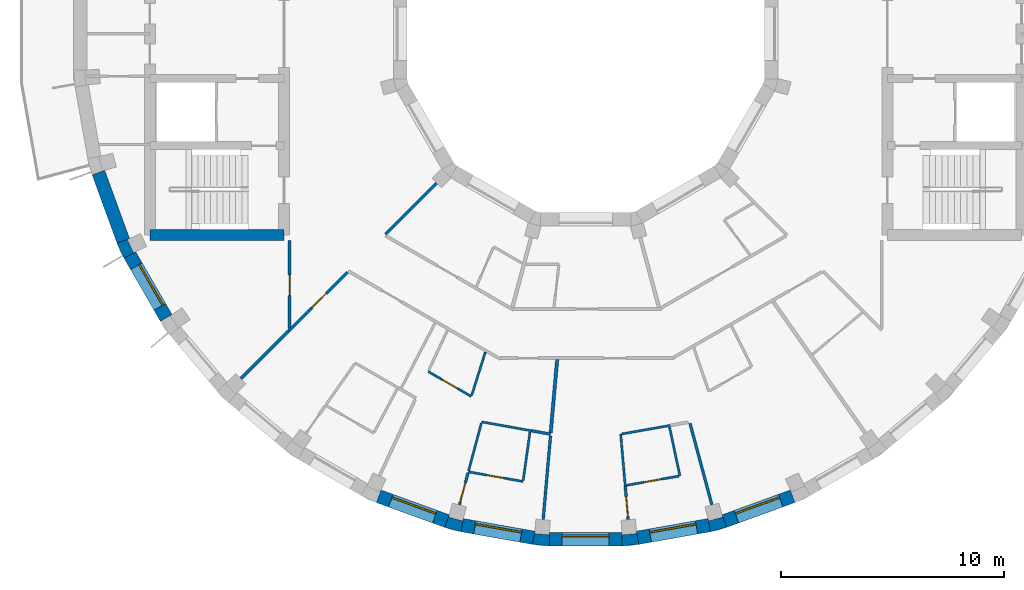
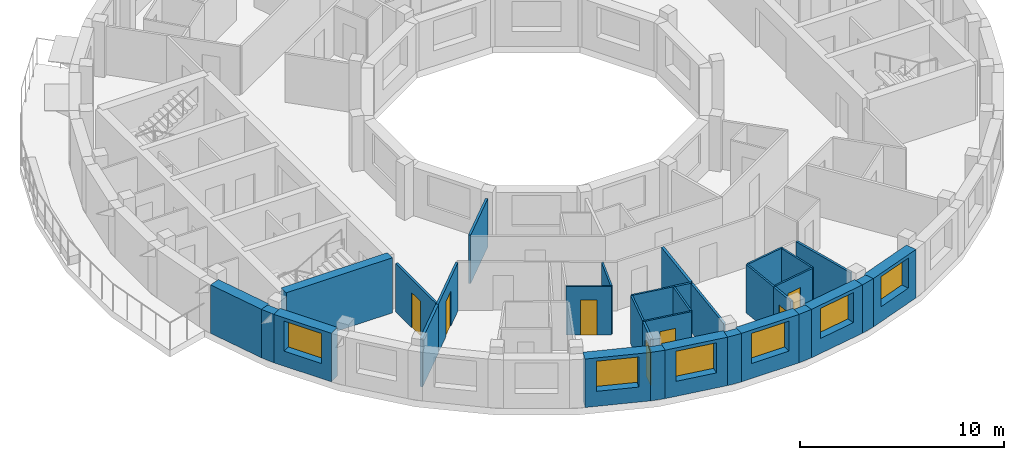
# One storey, part 2 of 10: 33 walls, 7 doors, 6 windows, 13 openings.
"""IFC4 building model written with IfcOpenShell, lengths in metres."""

from ifc_helpers import new_model, si_unit, direction, frame, frame_2d, origin, place, context, subcontext, project, spatial, polyline, rectangle, outline, extrude, material, layer, layer_set, type_object, element, fill, save


model = new_model("IFC4")

# Units and contexts
model_context = context("Model", 3, precision=1e-05, world=origin(), true_north=direction((0.0, 1.0)))
body_context = subcontext(model_context, "Body", "Model", "MODEL_VIEW")
ifc_project = project(units=[si_unit("LENGTHUNIT", "METRE"), si_unit("AREAUNIT", "SQUARE_METRE"), si_unit("VOLUMEUNIT", "CUBIC_METRE"), si_unit("PLANEANGLEUNIT", "RADIAN"), si_unit("MASSUNIT", "GRAM", prefix="KILO")], contexts=[model_context])

# Site, building, storey
site_placement = place(None, origin())
site = spatial("IfcSite", under=ifc_project, at=site_placement, CompositionType="ELEMENT")
building_placement = place(site_placement, origin())
building = spatial("IfcBuilding", under=site, at=building_placement, Name="Saqina Gate Tower", CompositionType="ELEMENT")
storey_placement = place(building_placement, frame((0.0, 0.0, 246.199951171875)))
storey = spatial("IfcBuildingStorey", under=building, at=storey_placement, Name="L70", CompositionType="ELEMENT", Elevation=246.199951171875)

# Walls
ifc_material_1 = material(Name="Brick masonry (buff)", Category="masonry")
wall_type_1 = type_object("IfcWallType", Name="BRICK PIER COPING BUFF", PredefinedType="SOLIDWALL", material=ifc_material_1)
wall_1_placement = place(storey_placement, origin())
element("IfcWall", 1, at=wall_1_placement, inside=storey, type_object=wall_type_1, Name="Pier cap L70 column 21", PredefinedType="SOLIDWALL", context=body_context, shape_type="SweptSolid", body=[
    extrude(outline(polyline([(-20.974609375, -9.3642578125), (-20.65576171875, -10.048095703125), (-20.135986328125, -9.748291015625), (-20.23193359375, -9.79296875), (-20.506591796875, -9.203857421875), (-20.410888671875, -9.1591796875), (-20.974609375, -9.3642578125)])), origin(), (0.0, 0.0, 1.0), 2.900146484375),
])
wall_2_placement = place(storey_placement, origin())
element("IfcWall", 2, at=wall_2_placement, inside=storey, type_object=wall_type_1, Name="Pier cap L70 column 26", PredefinedType="SOLIDWALL", context=body_context, shape_type="SweptSolid", body=[
    extrude(outline(polyline([(-5.579833984375, -22.281982421875), (-5.4755859375, -21.691162109375), (-5.5029296875, -21.793212890625), (-6.130859375, -21.625), (-6.103515625, -21.52294921875), (-6.30859375, -22.0869140625), (-5.579833984375, -22.281982421875)])), origin(), (0.0, 0.0, 1.0), 2.900146484375),
])
wall_3_placement = place(storey_placement, origin())
element("IfcWall", 3, at=wall_3_placement, inside=storey, type_object=wall_type_1, Name="Pier cap L70 column 27", PredefinedType="SOLIDWALL", context=body_context, shape_type="SweptSolid", body=[
    extrude(outline(polyline([(-2.377685546875, -22.8466796875), (-1.625732421875, -22.91259765625), (-1.625732421875, -22.3125), (-1.635009765625, -22.417724609375), (-2.28271484375, -22.361083984375), (-2.2734375, -22.255859375), (-2.377685546875, -22.8466796875)])), origin(), (0.0, 0.0, 1.0), 2.900146484375),
])
wall_4_placement = place(storey_placement, origin())
element("IfcWall", 4, at=wall_4_placement, inside=storey, type_object=wall_type_1, Name="Pier cap L70 column 28", PredefinedType="SOLIDWALL", context=body_context, shape_type="SweptSolid", body=[
    extrude(outline(polyline([(1.625732421875, -22.91259765625), (2.377685546875, -22.8466796875), (2.2734375, -22.255859375), (2.28271484375, -22.361083984375), (1.635009765625, -22.417724609375), (1.625732421875, -22.3125), (1.625732421875, -22.91259765625)])), origin(), (0.0, 0.0, 1.0), 2.900146484375),
])
wall_5_placement = place(storey_placement, origin())
element("IfcWall", 5, at=wall_5_placement, inside=storey, type_object=wall_type_1, Name="Pier cap L70 column 29", PredefinedType="SOLIDWALL", context=body_context, shape_type="SweptSolid", body=[
    extrude(outline(polyline([(6.30859375, -22.0869140625), (6.103515625, -21.52294921875), (6.130859375, -21.625), (5.5029296875, -21.793212890625), (5.4755859375, -21.691162109375), (5.579833984375, -22.281982421875), (6.30859375, -22.0869140625)])), origin(), (0.0, 0.0, 1.0), 2.900146484375),
])

# Wall, opening, window
ifc_material_2 = material(Name="Brick masonry (buff)", Category="masonry")
ifc_layer_1 = layer(ifc_material_2, 0.60009765625)
ifc_layer_set_1 = layer_set([ifc_layer_1], Name="FW-BRICK-BUFF")
wall_type_2 = type_object("IfcWallType", Name="FW-BRICK-BUFF", PredefinedType="SOLIDWALL", material=ifc_layer_set_1)
wall_6_placement = place(storey_placement, frame((-20.39599609375, -9.898193359375, 0.0), z_axis=(0.0, 0.0, 1.0), x_axis=(0.500014901547, -0.866016800201, 0.0)))
wall_6 = element("IfcWall", 6, at=wall_6_placement, inside=storey, type_object=wall_type_2, Name="Facade wall L70 facet 21", PredefinedType="SOLIDWALL", context=body_context, shape_type="SweptSolid", body=[
    extrude(rectangle(XDim=3.251953125, YDim=0.60009765625, at=frame_2d((1.6259765625, 0.0))), origin(), (0.0, 0.0, 1.0), 2.900146484375),
])
opening_1_placement = place(wall_6_placement, frame((0.57568359375, 0.0, 0.89990234375)))
opening_1 = element("IfcOpeningElement", 7, at=opening_1_placement, cuts=wall_6, Name="Opening G20-W12", PredefinedType="OPENING", context=body_context, shape_type="SweptSolid", body=[
    extrude(rectangle(XDim=2.10009765625, YDim=1.800048828125, at=frame_2d((1.050048828125, 0.89990234375))), frame((0.0, 0.31201171875, 0.0), z_axis=(0.0, -1.0, 0.0), x_axis=(1.0, 0.0, 0.0)), (0.0, 0.0, 1.0), 0.6240234375),
])
ifc_material_3 = material(Name="Aluminium glazing", Category="aluminium")
window_type = type_object("IfcWindowType", Name="WN-D", PartitioningType="SINGLE_PANEL", PredefinedType="WINDOW", material=ifc_material_3)
window_1_placement = place(opening_1_placement, origin())
window_1 = element("IfcWindow", 8, at=window_1_placement, inside=storey, type_object=window_type, Name="Window L70 facet 21", OverallHeight=1.800048828125, OverallWidth=2.10009765625, PartitioningType="SINGLE_PANEL", PredefinedType="WINDOW", context=body_context, shape_type="SweptSolid", body=[
    extrude(rectangle(XDim=2.10009765625, YDim=1.800048828125, at=frame_2d((1.050048828125, 0.89990234375))), frame((0.0, 0.179931640625, 0.0), z_axis=(0.0, -1.0, 0.0), x_axis=(1.0, 0.0, 0.0)), (0.0, 0.0, 1.0), 0.06005859375),
])
fill(opening_1, window_1)

wall_7_placement = place(storey_placement, frame((-9.26171875, -20.692626953125, 0.0), z_axis=(0.0, 0.0, 1.0), x_axis=(0.939679383794, -0.342056509473, 0.0)))
wall_7 = element("IfcWall", 9, at=wall_7_placement, inside=storey, type_object=wall_type_2, Name="Facade wall L70 facet 25", PredefinedType="SOLIDWALL", context=body_context, shape_type="SweptSolid", body=[
    extrude(rectangle(XDim=3.251708984375, YDim=0.60009765625, at=frame_2d((1.6259765625, 0.0))), origin(), (0.0, 0.0, 1.0), 2.900146484375),
])
opening_2_placement = place(wall_7_placement, frame((0.57568359375, 0.0, 0.89990234375)))
opening_2 = element("IfcOpeningElement", 10, at=opening_2_placement, cuts=wall_7, Name="Opening G20-W16", PredefinedType="OPENING", context=body_context, shape_type="SweptSolid", body=[
    extrude(rectangle(XDim=2.10009765625, YDim=1.800048828125, at=frame_2d((1.050048828125, 0.89990234375))), frame((0.0, 0.31201171875, 0.0), z_axis=(0.0, -1.0, 0.0), x_axis=(1.0, 0.0, 0.0)), (0.0, 0.0, 1.0), 0.6240234375),
])
window_2_placement = place(opening_2_placement, origin())
window_2 = element("IfcWindow", 11, at=window_2_placement, inside=storey, type_object=window_type, Name="Window L70 facet 25", OverallHeight=1.800048828125, OverallWidth=2.10009765625, PartitioningType="SINGLE_PANEL", PredefinedType="WINDOW", context=body_context, shape_type="SweptSolid", body=[
    extrude(rectangle(XDim=2.10009765625, YDim=1.800048828125, at=frame_2d((1.050048828125, 0.89990234375))), frame((0.0, 0.179931640625, 0.0), z_axis=(0.0, -1.0, 0.0), x_axis=(1.0, 0.0, 0.0)), (0.0, 0.0, 1.0), 0.06005859375),
])
fill(opening_2, window_2)

wall_8_placement = place(storey_placement, frame((-5.52783203125, -21.986572265625, 0.0), z_axis=(0.0, 0.0, 1.0), x_axis=(0.984806225186, -0.173656842178, 0.0)))
wall_8 = element("IfcWall", 12, at=wall_8_placement, inside=storey, type_object=wall_type_2, Name="Facade wall L70 facet 26", PredefinedType="SOLIDWALL", context=body_context, shape_type="SweptSolid", body=[
    extrude(rectangle(XDim=3.251708984375, YDim=0.60009765625, at=frame_2d((1.6259765625, 0.0))), origin(), (0.0, 0.0, 1.0), 2.900146484375),
])
opening_3_placement = place(wall_8_placement, frame((0.57568359375, 0.0, 0.89990234375)))
opening_3 = element("IfcOpeningElement", 13, at=opening_3_placement, cuts=wall_8, Name="Opening G20-W17", PredefinedType="OPENING", context=body_context, shape_type="SweptSolid", body=[
    extrude(rectangle(XDim=2.10009765625, YDim=1.800048828125, at=frame_2d((1.050048828125, 0.89990234375))), frame((0.0, 0.31201171875, 0.0), z_axis=(0.0, -1.0, 0.0), x_axis=(1.0, 0.0, 0.0)), (0.0, 0.0, 1.0), 0.6240234375),
])
window_3_placement = place(opening_3_placement, origin())
window_3 = element("IfcWindow", 14, at=window_3_placement, inside=storey, type_object=window_type, Name="Window L70 facet 26", OverallHeight=1.800048828125, OverallWidth=2.10009765625, PartitioningType="SINGLE_PANEL", PredefinedType="WINDOW", context=body_context, shape_type="SweptSolid", body=[
    extrude(rectangle(XDim=2.10009765625, YDim=1.800048828125, at=frame_2d((1.050048828125, 0.89990234375))), frame((0.0, 0.179931640625, 0.0), z_axis=(0.0, -1.0, 0.0), x_axis=(1.0, 0.0, 0.0)), (0.0, 0.0, 1.0), 0.06005859375),
])
fill(opening_3, window_3)

wall_9_placement = place(storey_placement, frame((-1.625732421875, -22.612548828125, 0.0), z_axis=(0.0, 0.0, 1.0), x_axis=(1.0, 0.0, 0.0)))
wall_9 = element("IfcWall", 15, at=wall_9_placement, inside=storey, type_object=wall_type_2, Name="Facade wall L70 facet 27", PredefinedType="SOLIDWALL", context=body_context, shape_type="SweptSolid", body=[
    extrude(rectangle(XDim=3.25146484375, YDim=0.60009765625, at=frame_2d((1.625732421875, 0.0))), origin(), (0.0, 0.0, 1.0), 2.900146484375),
])
opening_4_placement = place(wall_9_placement, frame((0.57568359375, 0.0, 0.89990234375)))
opening_4 = element("IfcOpeningElement", 16, at=opening_4_placement, cuts=wall_9, Name="Opening G20-W18", PredefinedType="OPENING", context=body_context, shape_type="SweptSolid", body=[
    extrude(rectangle(XDim=2.10009765625, YDim=1.800048828125, at=frame_2d((1.050048828125, 0.89990234375))), frame((0.0, 0.31201171875, 0.0), z_axis=(0.0, -1.0, 0.0), x_axis=(1.0, 0.0, 0.0)), (0.0, 0.0, 1.0), 0.6240234375),
])
window_4_placement = place(opening_4_placement, origin())
window_4 = element("IfcWindow", 17, at=window_4_placement, inside=storey, type_object=window_type, Name="Window L70 facet 27", OverallHeight=1.800048828125, OverallWidth=2.10009765625, PartitioningType="SINGLE_PANEL", PredefinedType="WINDOW", context=body_context, shape_type="SweptSolid", body=[
    extrude(rectangle(XDim=2.10009765625, YDim=1.800048828125, at=frame_2d((1.050048828125, 0.89990234375))), frame((0.0, 0.179931640625, 0.0), z_axis=(0.0, -1.0, 0.0), x_axis=(1.0, 0.0, 0.0)), (0.0, 0.0, 1.0), 0.06005859375),
])
fill(opening_4, window_4)

wall_10_placement = place(storey_placement, frame((2.325439453125, -22.55126953125, 0.0), z_axis=(0.0, 0.0, 1.0), x_axis=(0.984806225186, 0.173656842178, 0.0)))
wall_10 = element("IfcWall", 18, at=wall_10_placement, inside=storey, type_object=wall_type_2, Name="Facade wall L70 facet 28", PredefinedType="SOLIDWALL", context=body_context, shape_type="SweptSolid", body=[
    extrude(rectangle(XDim=3.251708984375, YDim=0.60009765625, at=frame_2d((1.6259765625, 0.0))), origin(), (0.0, 0.0, 1.0), 2.900146484375),
])
opening_5_placement = place(wall_10_placement, frame((0.57568359375, 0.0, 0.89990234375)))
opening_5 = element("IfcOpeningElement", 19, at=opening_5_placement, cuts=wall_10, Name="Opening G20-W19", PredefinedType="OPENING", context=body_context, shape_type="SweptSolid", body=[
    extrude(rectangle(XDim=2.10009765625, YDim=1.800048828125, at=frame_2d((1.050048828125, 0.89990234375))), frame((0.0, 0.31201171875, 0.0), z_axis=(0.0, -1.0, 0.0), x_axis=(1.0, 0.0, 0.0)), (0.0, 0.0, 1.0), 0.6240234375),
])
window_5_placement = place(opening_5_placement, origin())
window_5 = element("IfcWindow", 20, at=window_5_placement, inside=storey, type_object=window_type, Name="Window L70 facet 28", OverallHeight=1.800048828125, OverallWidth=2.10009765625, PartitioningType="SINGLE_PANEL", PredefinedType="WINDOW", context=body_context, shape_type="SweptSolid", body=[
    extrude(rectangle(XDim=2.10009765625, YDim=1.800048828125, at=frame_2d((1.050048828125, 0.89990234375))), frame((0.0, 0.179931640625, 0.0), z_axis=(0.0, -1.0, 0.0), x_axis=(1.0, 0.0, 0.0)), (0.0, 0.0, 1.0), 0.06005859375),
])
fill(opening_5, window_5)

wall_11_placement = place(storey_placement, frame((6.2060546875, -21.804931640625, 0.0), z_axis=(0.0, 0.0, 1.0), x_axis=(0.939679383794, 0.342056509473, 0.0)))
wall_11 = element("IfcWall", 21, at=wall_11_placement, inside=storey, type_object=wall_type_2, Name="Facade wall L70 facet 29", PredefinedType="SOLIDWALL", context=body_context, shape_type="SweptSolid", body=[
    extrude(rectangle(XDim=3.251708984375, YDim=0.60009765625, at=frame_2d((1.6259765625, 0.0))), origin(), (0.0, 0.0, 1.0), 2.900146484375),
])
opening_6_placement = place(wall_11_placement, frame((0.57568359375, 0.0, 0.89990234375)))
opening_6 = element("IfcOpeningElement", 22, at=opening_6_placement, cuts=wall_11, Name="Opening G20-W20", PredefinedType="OPENING", context=body_context, shape_type="SweptSolid", body=[
    extrude(rectangle(XDim=2.10009765625, YDim=1.800048828125, at=frame_2d((1.050048828125, 0.89990234375))), frame((0.0, 0.31201171875, 0.0), z_axis=(0.0, -1.0, 0.0), x_axis=(1.0, 0.0, 0.0)), (0.0, 0.0, 1.0), 0.6240234375),
])
window_6_placement = place(opening_6_placement, origin())
window_6 = element("IfcWindow", 23, at=window_6_placement, inside=storey, type_object=window_type, Name="Window L70 facet 29", OverallHeight=1.800048828125, OverallWidth=2.10009765625, PartitioningType="SINGLE_PANEL", PredefinedType="WINDOW", context=body_context, shape_type="SweptSolid", body=[
    extrude(rectangle(XDim=2.10009765625, YDim=1.800048828125, at=frame_2d((1.050048828125, 0.89990234375))), frame((0.0, 0.179931640625, 0.0), z_axis=(0.0, -1.0, 0.0), x_axis=(1.0, 0.0, 0.0)), (0.0, 0.0, 1.0), 0.06005859375),
])
fill(opening_6, window_6)

# Walls
ifc_material_4 = material(Name="Glazed ceramic tile (dark blue)", Category="ceramic")
ifc_layer_2 = layer(ifc_material_4, 0.60009765625)
ifc_layer_set_2 = layer_set([ifc_layer_2], Name="FW-TILE-CB")
wall_type_3 = type_object("IfcWallType", Name="FW-TILE-CB", PredefinedType="SOLIDWALL", material=ifc_layer_set_2)
wall_12_placement = place(storey_placement, frame((-21.804931640625, -6.2060546875, 0.0), z_axis=(0.0, 0.0, 1.0), x_axis=(0.342056509473, -0.939679383794, 0.0)))
element("IfcWall", 24, at=wall_12_placement, inside=storey, type_object=wall_type_3, Name="Facade wall L70 facet 20", PredefinedType="SOLIDWALL", context=body_context, shape_type="SweptSolid", body=[
    extrude(rectangle(XDim=3.251708984375, YDim=0.60009765625, at=frame_2d((1.6259765625, 0.0))), origin(), (0.0, 0.0, 1.0), 2.900146484375),
])
ifc_material_5 = material(Name="Gypsum board on steel studs, 100 mm", Category="steel")
ifc_layer_3 = layer(ifc_material_5, 0.10009765625)
ifc_layer_set_3 = layer_set([ifc_layer_3], Name="PARTITION 100")
wall_type_4 = type_object("IfcWallType", Name="PARTITION 100", PredefinedType="PARTITIONING", material=ifc_layer_set_3)
wall_13_placement = place(storey_placement, frame((1.567138671875, -17.9130859375, 0.0), z_axis=(0.0, 0.0, 1.0), x_axis=(0.087089873779, -0.996200458685, 0.0)))
element("IfcWall", 25, at=wall_13_placement, inside=storey, type_object=wall_type_4, Name="PARTITION PW3-01", PredefinedType="PARTITIONING", context=body_context, shape_type="SweptSolid", body=[
    extrude(rectangle(XDim=2.357666015625, YDim=0.10009765625, at=frame_2d((1.1787109375, 0.0))), origin(), (0.0, 0.0, 1.0), 2.900146484375),
])
wall_14_placement = place(storey_placement, frame((3.7509765625, -17.59130859375, 0.0), z_axis=(0.0, 0.0, 1.0), x_axis=(0.208598143884, -0.978001438837, 0.0)))
element("IfcWall", 26, at=wall_14_placement, inside=storey, type_object=wall_type_4, Name="PARTITION PW3-05", PredefinedType="PARTITIONING", context=body_context, shape_type="SweptSolid", body=[
    extrude(rectangle(XDim=2.239013671875, YDim=0.10009765625, at=frame_2d((1.11962890625, 0.0))), origin(), (0.0, 0.0, 1.0), 2.900146484375),
])

# Wall, opening, door
wall_15_placement = place(storey_placement, frame((-7.047119140625, -15.111083984375, 0.0), z_axis=(0.0, 0.0, 1.0), x_axis=(0.866015874633, -0.500016504612, 0.0)))
wall_15 = element("IfcWall", 27, at=wall_15_placement, inside=storey, type_object=wall_type_4, Name="PARTITION PW3-18", PredefinedType="PARTITIONING", context=body_context, shape_type="SweptSolid", body=[
    extrude(rectangle(XDim=2.22802734375, YDim=0.10009765625, at=frame_2d((1.114013671875, 0.0))), origin(), (0.0, 0.0, 1.0), 2.900146484375),
])
opening_7_placement = place(wall_15_placement, frame((0.71484375, 0.0, 0.0)))
opening_7 = element("IfcOpeningElement", 28, at=opening_7_placement, cuts=wall_15, Name="Opening G20-D27", PredefinedType="OPENING", context=body_context, shape_type="SweptSolid", body=[
    extrude(rectangle(XDim=0.800048828125, YDim=2.10009765625, at=frame_2d((0.39990234375, 1.050048828125))), frame((0.0, 0.06201171875, 0.0), z_axis=(0.0, -1.0, 0.0), x_axis=(1.0, 0.0, 0.0)), (0.0, 0.0, 1.0), 0.1240234375),
])
ifc_material_6 = material(Name="Timber door leaf, 800 mm", Category="wood")
door_type_1 = type_object("IfcDoorType", Name="DOOR 800 TIMBER", OperationType="SINGLE_SWING_LEFT", PredefinedType="DOOR", material=ifc_material_6)
door_1_placement = place(opening_7_placement, frame((0.800048828125, 0.0, 0.0), z_axis=(0.0, 0.0, 1.0), x_axis=(-1.0, 0.0, 0.0)))
door_1 = element("IfcDoor", 29, at=door_1_placement, inside=storey, type_object=door_type_1, Name="DOOR G20-D27", OperationType="SINGLE_SWING_LEFT", OverallHeight=2.10009765625, OverallWidth=0.800048828125, PredefinedType="DOOR", context=body_context, shape_type="SweptSolid", body=[
    extrude(rectangle(XDim=0.800048828125, YDim=2.10009765625, at=frame_2d((0.39990234375, 1.050048828125))), frame((0.0, 0.02490234375, 0.0), z_axis=(0.0, -1.0, 0.0), x_axis=(1.0, 0.0, 0.0)), (0.0, 0.0, 1.0), 0.050048828125),
])
fill(opening_7, door_1)

# Wall
wall_16_placement = place(storey_placement, frame((-4.65185546875, -17.362060546875, 0.0), z_axis=(0.0, 0.0, 1.0), x_axis=(0.984302107819, -0.176491814379, 0.0)))
element("IfcWall", 30, at=wall_16_placement, inside=storey, type_object=wall_type_4, Name="PARTITION PW3-21", PredefinedType="PARTITIONING", context=body_context, shape_type="SweptSolid", body=[
    extrude(rectangle(XDim=2.25341796875, YDim=0.10009765625, at=frame_2d((1.126708984375, 0.0))), origin(), (0.0, 0.0, 1.0), 2.900146484375),
])

# Wall, opening, door
wall_17_placement = place(storey_placement, frame((-5.2509765625, -19.597900390625, 0.0), z_axis=(0.0, 0.0, 1.0), x_axis=(0.984786523671, -0.17376853224, 0.0)))
wall_17 = element("IfcWall", 31, at=wall_17_placement, inside=storey, type_object=wall_type_4, Name="PARTITION PW3-22", PredefinedType="PARTITIONING", context=body_context, shape_type="SweptSolid", body=[
    extrude(rectangle(XDim=2.48681640625, YDim=0.10009765625, at=frame_2d((1.243408203125, 0.0))), origin(), (0.0, 0.0, 1.0), 2.900146484375),
])
opening_8_placement = place(wall_17_placement, frame((0.843505859375, 0.0, 0.0)))
opening_8 = element("IfcOpeningElement", 32, at=opening_8_placement, cuts=wall_17, Name="Opening G20-D29", PredefinedType="OPENING", context=body_context, shape_type="SweptSolid", body=[
    extrude(rectangle(XDim=0.800048828125, YDim=2.10009765625, at=frame_2d((0.39990234375, 1.050048828125))), frame((0.0, 0.06201171875, 0.0), z_axis=(0.0, -1.0, 0.0), x_axis=(1.0, 0.0, 0.0)), (0.0, 0.0, 1.0), 0.1240234375),
])
door_2_placement = place(opening_8_placement, frame((0.800048828125, 0.0, 0.0), z_axis=(0.0, 0.0, 1.0), x_axis=(-1.0, 0.0, 0.0)))
door_2 = element("IfcDoor", 33, at=door_2_placement, inside=storey, type_object=door_type_1, Name="DOOR G20-D29", OperationType="SINGLE_SWING_RIGHT", OverallHeight=2.10009765625, OverallWidth=0.800048828125, PredefinedType="DOOR", context=body_context, shape_type="SweptSolid", body=[
    extrude(rectangle(XDim=0.800048828125, YDim=2.10009765625, at=frame_2d((0.39990234375, 1.050048828125))), frame((0.0, 0.02490234375, 0.0), z_axis=(0.0, -1.0, 0.0), x_axis=(1.0, 0.0, 0.0)), (0.0, 0.0, 1.0), 0.050048828125),
])
fill(opening_8, door_2)

wall_18_placement = place(storey_placement, frame((1.82958984375, -20.201171875, 0.0), z_axis=(0.0, 0.0, 1.0), x_axis=(0.984867266046, 0.173310323615, 0.0)))
wall_18 = element("IfcWall", 34, at=wall_18_placement, inside=storey, type_object=wall_type_4, Name="PARTITION PW3-28", PredefinedType="PARTITIONING", context=body_context, shape_type="SweptSolid", body=[
    extrude(rectangle(XDim=2.375, YDim=0.10009765625, at=frame_2d((1.1875, 0.0))), origin(), (0.0, 0.0, 1.0), 2.900146484375),
])
opening_9_placement = place(wall_18_placement, frame((0.78125, 0.0, 0.0)))
opening_9 = element("IfcOpeningElement", 35, at=opening_9_placement, cuts=wall_18, Name="Opening G20-D35", PredefinedType="OPENING", context=body_context, shape_type="SweptSolid", body=[
    extrude(rectangle(XDim=0.800048828125, YDim=2.10009765625, at=frame_2d((0.39990234375, 1.050048828125))), frame((0.0, 0.06201171875, 0.0), z_axis=(0.0, -1.0, 0.0), x_axis=(1.0, 0.0, 0.0)), (0.0, 0.0, 1.0), 0.1240234375),
])
door_3_placement = place(opening_9_placement, frame((0.800048828125, 0.0, 0.0), z_axis=(0.0, 0.0, 1.0), x_axis=(-1.0, 0.0, 0.0)))
door_3 = element("IfcDoor", 36, at=door_3_placement, inside=storey, type_object=door_type_1, Name="DOOR G20-D35", OperationType="SINGLE_SWING_RIGHT", OverallHeight=2.10009765625, OverallWidth=0.800048828125, PredefinedType="DOOR", context=body_context, shape_type="SweptSolid", body=[
    extrude(rectangle(XDim=0.800048828125, YDim=2.10009765625, at=frame_2d((0.39990234375, 1.050048828125))), frame((0.0, 0.02490234375, 0.0), z_axis=(0.0, -1.0, 0.0), x_axis=(1.0, 0.0, 0.0)), (0.0, 0.0, 1.0), 0.050048828125),
])
fill(opening_9, door_3)

# Walls
wall_19_placement = place(storey_placement, frame((1.6162109375, -17.9033203125, 0.0), z_axis=(0.0, 0.0, 1.0), x_axis=(0.984865950047, 0.173317801847, 0.0)))
element("IfcWall", 37, at=wall_19_placement, inside=storey, type_object=wall_type_4, Name="PARTITION PW3-29", PredefinedType="PARTITIONING", context=body_context, shape_type="SweptSolid", body=[
    extrude(rectangle(XDim=2.20458984375, YDim=0.10009765625, at=frame_2d((1.102294921875, 0.0))), origin(), (0.0, 0.0, 1.0), 2.900146484375),
])
wall_20_placement = place(storey_placement, frame((-5.100341796875, -16.17626953125, 0.0), z_axis=(0.0, 0.0, 1.0), x_axis=(0.300861627233, 0.953667804457, 0.0)))
element("IfcWall", 38, at=wall_20_placement, inside=storey, type_object=wall_type_4, Name="PARTITION PW3-47", PredefinedType="PARTITIONING", context=body_context, shape_type="SweptSolid", body=[
    extrude(rectangle(XDim=2.035888671875, YDim=0.10009765625, at=frame_2d((1.01806640625, 0.0))), origin(), (0.0, 0.0, 1.0), 2.900146484375),
])
wall_21_placement = place(storey_placement, frame((-5.238037109375, -19.5498046875, 0.0), z_axis=(0.0, 0.0, 1.0), x_axis=(0.258653207269, 0.965970247145, 0.0)))
element("IfcWall", 39, at=wall_21_placement, inside=storey, type_object=wall_type_4, Name="PARTITION PW3-48", PredefinedType="PARTITIONING", context=body_context, shape_type="SweptSolid", body=[
    extrude(rectangle(XDim=2.208740234375, YDim=0.10009765625, at=frame_2d((1.1044921875, 0.0))), origin(), (0.0, 0.0, 1.0), 2.900146484375),
])
wall_22_placement = place(storey_placement, frame((-2.795166015625, -19.98046875, 0.0), z_axis=(0.0, 0.0, 1.0), x_axis=(0.138656596978, 0.990340521293, 0.0)))
element("IfcWall", 40, at=wall_22_placement, inside=storey, type_object=wall_type_4, Name="PARTITION PW3-50", PredefinedType="PARTITIONING", context=body_context, shape_type="SweptSolid", body=[
    extrude(rectangle(XDim=2.188720703125, YDim=0.10009765625, at=frame_2d((1.09423828125, 0.0))), origin(), (0.0, 0.0, 1.0), 2.900146484375),
])

# Wall, opening, door
ifc_material_7 = material(Name="Gypsum board on steel studs, 125 mm, fire rated", Category="steel")
ifc_layer_4 = layer(ifc_material_7, 0.125)
ifc_layer_set_4 = layer_set([ifc_layer_4], Name="PARTITION EI 30 125")
wall_type_5 = type_object("IfcWallType", Name="PARTITION EI 30 125", PredefinedType="PARTITIONING", material=ifc_layer_set_4)
wall_23_placement = place(storey_placement, frame((1.772705078125, -20.26171875, 0.0), z_axis=(0.0, 0.0, 1.0), x_axis=(0.087179262922, -0.996192640063, 0.0)))
wall_23 = element("IfcWall", 41, at=wall_23_placement, inside=storey, type_object=wall_type_5, Name="PARTITION PW1-02", PredefinedType="PARTITIONING", context=body_context, shape_type="SweptSolid", body=[
    extrude(rectangle(XDim=1.475830078125, YDim=0.125, at=frame_2d((0.73779296875, 0.0))), origin(), (0.0, 0.0, 1.0), 2.900146484375),
])
opening_10_placement = place(wall_23_placement, frame((0.4541015625, 0.0, 0.0)))
opening_10 = element("IfcOpeningElement", 42, at=opening_10_placement, cuts=wall_23, Name="Opening G20-D33", PredefinedType="OPENING", context=body_context, shape_type="SweptSolid", body=[
    extrude(rectangle(XDim=0.89990234375, YDim=2.10009765625, at=frame_2d((0.449951171875, 1.050048828125))), frame((0.0, 0.074462890625, 0.0), z_axis=(0.0, -1.0, 0.0), x_axis=(1.0, 0.0, 0.0)), (0.0, 0.0, 1.0), 0.14892578125),
])
ifc_material_8 = material(Name="Fire door leaf EI 30, 900 mm")
door_type_2 = type_object("IfcDoorType", Name="DOOR 900 EI 30", OperationType="SINGLE_SWING_LEFT", PredefinedType="DOOR", material=ifc_material_8)
door_4_placement = place(opening_10_placement, frame((0.89990234375, 0.0, 0.0), z_axis=(0.0, 0.0, 1.0), x_axis=(-1.0, 0.0, 0.0)))
door_4 = element("IfcDoor", 43, at=door_4_placement, inside=storey, type_object=door_type_2, Name="DOOR G20-D33", OperationType="SINGLE_SWING_RIGHT", OverallHeight=2.10009765625, OverallWidth=0.89990234375, PredefinedType="DOOR", context=body_context, shape_type="SweptSolid", body=[
    extrude(rectangle(XDim=0.89990234375, YDim=2.10009765625, at=frame_2d((0.449951171875, 1.050048828125))), frame((0.0, 0.02490234375, 0.0), z_axis=(0.0, -1.0, 0.0), x_axis=(1.0, 0.0, 0.0)), (0.0, 0.0, 1.0), 0.050048828125),
])
fill(opening_10, door_4)

# Walls
wall_24_placement = place(storey_placement, frame((4.66845703125, -17.428955078125, 0.0), z_axis=(0.0, 0.0, 1.0), x_axis=(0.259314134335, -0.965793031521, 0.0)))
element("IfcWall", 44, at=wall_24_placement, inside=storey, type_object=wall_type_5, Name="PARTITION PW1-03", PredefinedType="PARTITIONING", context=body_context, shape_type="SweptSolid", body=[
    extrude(rectangle(XDim=3.771484375, YDim=0.125, at=frame_2d((1.8857421875, 0.0))), origin(), (0.0, 0.0, 1.0), 2.900146484375),
])
wall_25_placement = place(storey_placement, frame((-2.433837890625, -17.759765625, 0.0), z_axis=(0.0, 0.0, 1.0), x_axis=(0.984908951539, -0.173073271124, 0.0)))
element("IfcWall", 45, at=wall_25_placement, inside=storey, type_object=wall_type_5, Name="PARTITION PW1-16", PredefinedType="PARTITIONING", context=body_context, shape_type="SweptSolid", body=[
    extrude(rectangle(XDim=0.880126953125, YDim=0.125, at=frame_2d((0.43994140625, 0.0))), origin(), (0.0, 0.0, 1.0), 2.900146484375),
])

# Wall, opening, door
wall_26_placement = place(storey_placement, frame((-13.294189453125, -13.294189453125, 0.0), z_axis=(0.0, 0.0, 1.0), x_axis=(0.707106781187, 0.707106781187, 0.0)))
wall_26 = element("IfcWall", 46, at=wall_26_placement, inside=storey, type_object=wall_type_5, Name="PARTITION PW1-29", PredefinedType="PARTITIONING", context=body_context, shape_type="SweptSolid", body=[
    extrude(rectangle(XDim=3.716552734375, YDim=0.125, at=frame_2d((1.8583984375, 0.0))), origin(), (0.0, 0.0, 1.0), 2.900146484375),
])
opening_11_placement = place(wall_26_placement, frame((1.470703125, 0.0, 0.0)))
opening_11 = element("IfcOpeningElement", 47, at=opening_11_placement, cuts=wall_26, Name="Opening G20-D21", PredefinedType="OPENING", context=body_context, shape_type="SweptSolid", body=[
    extrude(rectangle(XDim=0.89990234375, YDim=2.10009765625, at=frame_2d((0.449951171875, 1.050048828125))), frame((0.0, 0.074462890625, 0.0), z_axis=(0.0, -1.0, 0.0), x_axis=(1.0, 0.0, 0.0)), (0.0, 0.0, 1.0), 0.14892578125),
])
door_5_placement = place(opening_11_placement, frame((0.89990234375, 0.0, 0.0), z_axis=(0.0, 0.0, 1.0), x_axis=(-1.0, 0.0, 0.0)))
door_5 = element("IfcDoor", 48, at=door_5_placement, inside=storey, type_object=door_type_2, Name="DOOR G20-D21", OperationType="SINGLE_SWING_LEFT", OverallHeight=2.10009765625, OverallWidth=0.89990234375, PredefinedType="DOOR", context=body_context, shape_type="SweptSolid", body=[
    extrude(rectangle(XDim=0.89990234375, YDim=2.10009765625, at=frame_2d((0.449951171875, 1.050048828125))), frame((0.0, 0.02490234375, 0.0), z_axis=(0.0, -1.0, 0.0), x_axis=(1.0, 0.0, 0.0)), (0.0, 0.0, 1.0), 0.050048828125),
])
fill(opening_11, door_5)

# Wall
wall_27_placement = place(storey_placement, frame((-8.9677734375, -8.9677734375, 0.0), z_axis=(0.0, 0.0, 1.0), x_axis=(0.707106781187, 0.707106781187, 0.0)))
element("IfcWall", 49, at=wall_27_placement, inside=storey, type_object=wall_type_5, Name="PARTITION PW1-30", PredefinedType="PARTITIONING", context=body_context, shape_type="SweptSolid", body=[
    extrude(rectangle(XDim=3.239990234375, YDim=0.125, at=frame_2d((1.6201171875, 0.0))), origin(), (0.0, 0.0, 1.0), 2.900146484375),
])

# Wall, opening, door
wall_28_placement = place(storey_placement, frame((-5.646484375, -21.071533203125, 0.0), z_axis=(0.0, 0.0, 1.0), x_axis=(0.259237722608, 0.965813544726, 0.0)))
wall_28 = element("IfcWall", 50, at=wall_28_placement, inside=storey, type_object=wall_type_5, Name="PARTITION PW1-35", PredefinedType="PARTITIONING", context=body_context, shape_type="SweptSolid", body=[
    extrude(rectangle(XDim=1.475830078125, YDim=0.125, at=frame_2d((0.73779296875, 0.0))), origin(), (0.0, 0.0, 1.0), 2.900146484375),
])
opening_12_placement = place(wall_28_placement, frame((0.122314453125, 0.0, 0.0)))
opening_12 = element("IfcOpeningElement", 51, at=opening_12_placement, cuts=wall_28, Name="Opening G20-D28", PredefinedType="OPENING", context=body_context, shape_type="SweptSolid", body=[
    extrude(rectangle(XDim=0.89990234375, YDim=2.10009765625, at=frame_2d((0.449951171875, 1.050048828125))), frame((0.0, 0.074462890625, 0.0), z_axis=(0.0, -1.0, 0.0), x_axis=(1.0, 0.0, 0.0)), (0.0, 0.0, 1.0), 0.14892578125),
])
door_6_placement = place(opening_12_placement, origin())
door_6 = element("IfcDoor", 52, at=door_6_placement, inside=storey, type_object=door_type_2, Name="DOOR G20-D28", OperationType="SINGLE_SWING_LEFT", OverallHeight=2.10009765625, OverallWidth=0.89990234375, PredefinedType="DOOR", context=body_context, shape_type="SweptSolid", body=[
    extrude(rectangle(XDim=0.89990234375, YDim=2.10009765625, at=frame_2d((0.449951171875, 1.050048828125))), frame((0.0, 0.02490234375, 0.0), z_axis=(0.0, -1.0, 0.0), x_axis=(1.0, 0.0, 0.0)), (0.0, 0.0, 1.0), 0.050048828125),
])
fill(opening_12, door_6)

# Wall
wall_29_placement = place(storey_placement, frame((-1.901611328125, -21.73193359375, 0.0), z_axis=(0.0, 0.0, 1.0), x_axis=(0.087279731719, 0.996183842687, 0.0)))
element("IfcWall", 53, at=wall_29_placement, inside=storey, type_object=wall_type_5, Name="PARTITION PW1-37", PredefinedType="PARTITIONING", context=body_context, shape_type="SweptSolid", body=[
    extrude(rectangle(XDim=3.759521484375, YDim=0.125, at=frame_2d((1.8798828125, 0.0))), origin(), (0.0, 0.0, 1.0), 2.900146484375),
])

# Wall, opening, door
wall_30_placement = place(storey_placement, frame((-13.25, -13.175048828125, 0.0), z_axis=(0.0, 0.0, 1.0), x_axis=(0.0, 1.0, 0.0)))
wall_30 = element("IfcWall", 54, at=wall_30_placement, inside=storey, type_object=wall_type_5, Name="PARTITION PW1-41", PredefinedType="PARTITIONING", context=body_context, shape_type="SweptSolid", body=[
    extrude(rectangle(XDim=3.925048828125, YDim=0.125, at=frame_2d((1.96240234375, 0.0))), origin(), (0.0, 0.0, 1.0), 2.900146484375),
])
opening_13_placement = place(wall_30_placement, frame((1.47509765625, 0.0, 0.0)))
opening_13 = element("IfcOpeningElement", 55, at=opening_13_placement, cuts=wall_30, Name="Opening G20-D20", PredefinedType="OPENING", context=body_context, shape_type="SweptSolid", body=[
    extrude(rectangle(XDim=0.89990234375, YDim=2.10009765625, at=frame_2d((0.449951171875, 1.050048828125))), frame((0.0, 0.074462890625, 0.0), z_axis=(0.0, -1.0, 0.0), x_axis=(1.0, 0.0, 0.0)), (0.0, 0.0, 1.0), 0.14892578125),
])
door_7_placement = place(opening_13_placement, origin())
door_7 = element("IfcDoor", 56, at=door_7_placement, inside=storey, type_object=door_type_2, Name="DOOR G20-D20", OperationType="SINGLE_SWING_LEFT", OverallHeight=2.10009765625, OverallWidth=0.89990234375, PredefinedType="DOOR", context=body_context, shape_type="SweptSolid", body=[
    extrude(rectangle(XDim=0.89990234375, YDim=2.10009765625, at=frame_2d((0.449951171875, 1.050048828125))), frame((0.0, 0.02490234375, 0.0), z_axis=(0.0, -1.0, 0.0), x_axis=(1.0, 0.0, 0.0)), (0.0, 0.0, 1.0), 0.050048828125),
])
fill(opening_13, door_7)

# Walls
ifc_material_9 = material(Name="Gypsum board on steel studs, 150 mm, fire rated", Category="steel")
ifc_layer_5 = layer(ifc_material_9, 0.14990234375)
ifc_layer_set_5 = layer_set([ifc_layer_5], Name="PARTITION EI 60 150")
wall_type_6 = type_object("IfcWallType", Name="PARTITION EI 60 150", PredefinedType="PARTITIONING", material=ifc_layer_set_5)
wall_31_placement = place(storey_placement, frame((-15.425537109375, -15.425537109375, 0.0), z_axis=(0.0, 0.0, 1.0), x_axis=(0.707106781187, 0.707106781187, 0.0)))
element("IfcWall", 57, at=wall_31_placement, inside=storey, type_object=wall_type_6, Name="PARTITION PW2-04", PredefinedType="PARTITIONING", context=body_context, shape_type="SweptSolid", body=[
    extrude(rectangle(XDim=3.01416015625, YDim=0.14990234375, at=frame_2d((1.507080078125, 0.0))), origin(), (0.0, 0.0, 1.0), 2.900146484375),
])
wall_32_placement = place(storey_placement, frame((-1.5654296875, -17.849365234375, 0.0), z_axis=(0.0, 0.0, 1.0), x_axis=(0.088454711903, 0.996080199553, 0.0)))
element("IfcWall", 58, at=wall_32_placement, inside=storey, type_object=wall_type_6, Name="PARTITION PW2-08", PredefinedType="PARTITIONING", context=body_context, shape_type="SweptSolid", body=[
    extrude(rectangle(XDim=3.2900390625, YDim=0.14990234375, at=frame_2d((1.64501953125, 0.0))), origin(), (0.0, 0.0, 1.0), 2.900146484375),
])
ifc_material_10 = material(Name="Concrete C60/75", Category="concrete")
ifc_layer_6 = layer(ifc_material_10, 0.5)
ifc_layer_set_6 = layer_set([ifc_layer_6], Name="Concrete C60/75")
wall_type_7 = type_object("IfcWallType", Name="STR-CORE WALL-D-O", PredefinedType="SHEAR", material=ifc_layer_set_6)
wall_33_placement = place(storey_placement, frame((-13.5, -9.0, 0.0), z_axis=(0.0, 0.0, 1.0), x_axis=(-1.0, 0.0, 0.0)))
element("IfcWall", 59, at=wall_33_placement, inside=storey, type_object=wall_type_7, Name="CORE WALL L70 W-SE", PredefinedType="SHEAR", context=body_context, shape_type="SweptSolid", body=[
    extrude(rectangle(XDim=6.0, YDim=0.5, at=frame_2d((3.0, 0.0))), origin(), (0.0, 0.0, 1.0), 3.300048828125),
])

save(model, "model.ifc")
